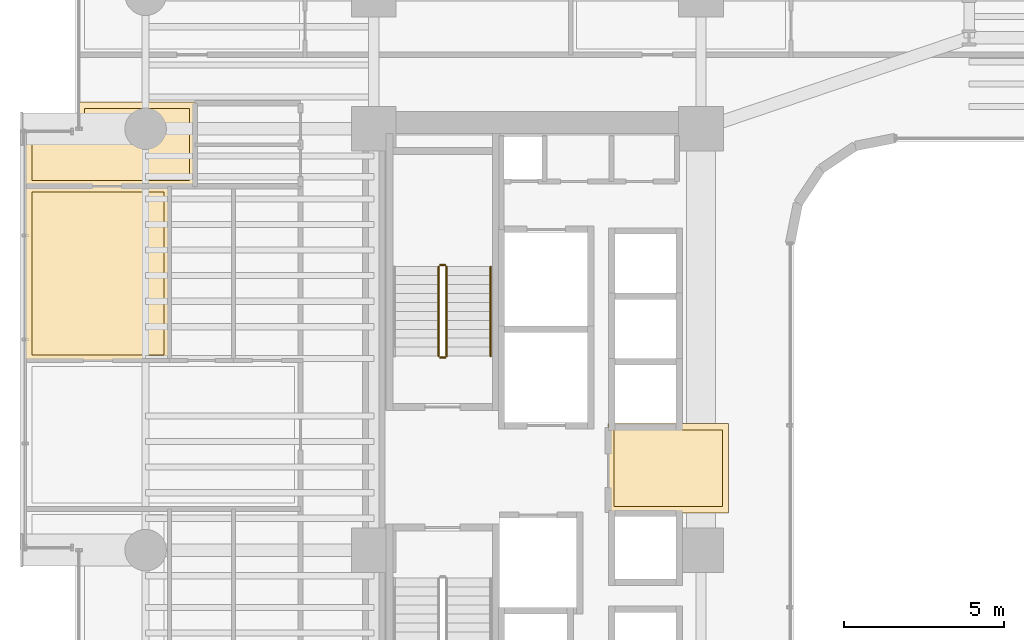
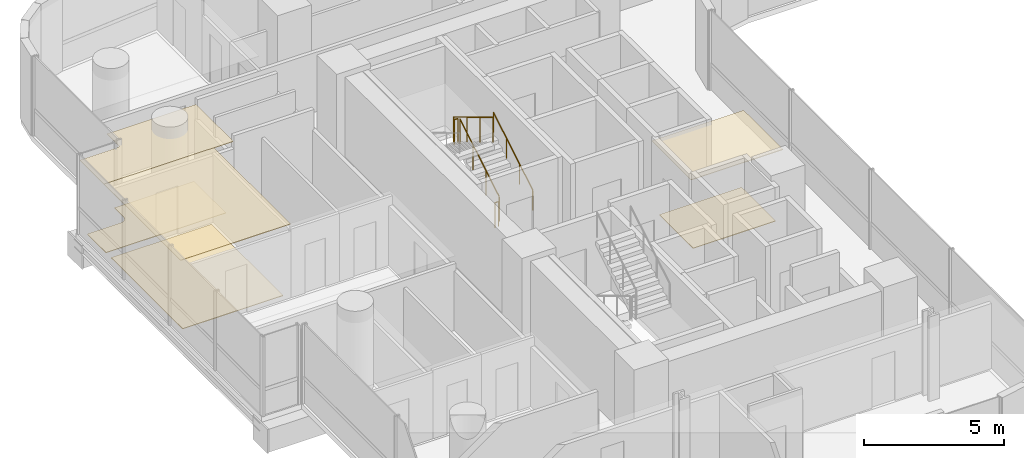
# One storey, part 36 of 40: 6 coverings, 5 railings.
"""IFC4 building model written with IfcOpenShell, lengths in metres."""

from ifc_helpers import new_model, si_unit, direction, frame, origin, origin_2d, place, context, subcontext, project, spatial, polyline, circle, outline, extrude, material, layer, layer_set, type_object, element, save


model = new_model("IFC4")

# Units and contexts
model_context = context("Model", 3, precision=1e-05, world=origin(), true_north=direction((0.0, 1.0)))
body_context = subcontext(model_context, "Body", "Model", "MODEL_VIEW")
ifc_project = project(units=[si_unit("LENGTHUNIT", "METRE"), si_unit("AREAUNIT", "SQUARE_METRE"), si_unit("VOLUMEUNIT", "CUBIC_METRE"), si_unit("PLANEANGLEUNIT", "RADIAN"), si_unit("MASSUNIT", "GRAM", prefix="KILO")], contexts=[model_context])

# Site, building, storey
site_placement = place(None, origin())
site = spatial("IfcSite", under=ifc_project, at=site_placement, CompositionType="ELEMENT")
building_placement = place(site_placement, origin())
building = spatial("IfcBuilding", under=site, at=building_placement, Name="Valdorenza Pilgrim Sanctuary Tower", CompositionType="ELEMENT")
storey_placement = place(building_placement, frame((0.0, 0.0, 40.800048828125)))
storey = spatial("IfcBuildingStorey", under=building, at=storey_placement, Name="L09", CompositionType="ELEMENT", Elevation=40.800048828125)

# Coverings
ifc_material_1 = material(Name="Micro-perforated acoustic mineral ceiling tile", Category="gypsum")
ifc_layer_1 = layer(ifc_material_1, 0.02490234375, Name="Micro-perforated acoustic mineral ceiling tile")
ifc_layer_set_1 = layer_set([ifc_layer_1], Name="Micro-perforated acoustic mineral ceiling tile")
covering_type_1 = type_object("IfcCoveringType", Name="COV-CLG-ACU", PredefinedType="CEILING", material=ifc_layer_set_1)
covering_1_placement = place(storey_placement, frame((0.0, 0.0, 3.159912109375)))
element("IfcCovering", 1, at=covering_1_placement, inside=storey, type_object=covering_type_1, Name="L09 Core A Passenger Lift Lobby Acoustic Ceiling", PredefinedType="CEILING", context=body_context, shape_type="SweptSolid", body=[
    extrude(outline(polyline([(-15.31298828125, 1.244384765625), (-15.31298828125, 1.24462890625), (-15.313720703125, 1.24609375), (-15.314208984375, 1.24755859375), (-15.314697265625, 1.2490234375), (-15.31494140625, 1.25048828125), (-15.31494140625, 1.251953125), (-15.31494140625, 1.35009765625), (-15.31494140625, 1.3515625), (-15.314697265625, 1.352783203125), (-15.314453125, 1.3544921875), (-15.31396484375, 1.355712890625), (-15.313232421875, 1.357177734375), (-15.3125, 1.3583984375), (-15.3115234375, 1.359619140625), (-15.310546875, 1.360595703125), (-15.3095703125, 1.361572265625), (-15.308349609375, 1.362548828125), (-15.30712890625, 1.36328125), (-15.3056640625, 1.364013671875), (-15.304443359375, 1.364501953125), (-15.302978515625, 1.36474609375), (-15.301513671875, 1.364990234375), (-15.300048828125, 1.364990234375), (-15.10205078125, 1.364990234375), (-15.1005859375, 1.364990234375), (-15.09912109375, 1.36474609375), (-15.097412109375, 1.3642578125), (-15.09619140625, 1.36376953125), (-15.0947265625, 1.363037109375), (-15.094482421875, 1.363037109375), (-13.185546875, 1.363037109375), (-13.185302734375, 1.363037109375), (-13.183837890625, 1.36376953125), (-13.1826171875, 1.3642578125), (-13.180908203125, 1.36474609375), (-13.179443359375, 1.364990234375), (-13.177978515625, 1.364990234375), (-11.550048828125, 1.364990234375), (-11.548583984375, 1.364990234375), (-11.547119140625, 1.36474609375), (-11.545654296875, 1.364501953125), (-11.544189453125, 1.364013671875), (-11.54296875, 1.36328125), (-11.541748046875, 1.362548828125), (-11.54052734375, 1.361572265625), (-11.539306640625, 1.360595703125), (-11.538330078125, 1.359619140625), (-11.53759765625, 1.3583984375), (-11.536865234375, 1.357177734375), (-11.5361328125, 1.355712890625), (-11.53564453125, 1.3544921875), (-11.535400390625, 1.352783203125), (-11.53515625, 1.3515625), (-11.534912109375, 1.35009765625), (-11.534912109375, -1.419921875), (-11.53515625, -1.42138671875), (-11.535400390625, -1.4228515625), (-11.53564453125, -1.42431640625), (-11.5361328125, -1.42578125), (-11.536865234375, -1.427001953125), (-11.53759765625, -1.42822265625), (-11.538330078125, -1.429443359375), (-11.539306640625, -1.4306640625), (-11.54052734375, -1.431640625), (-11.541748046875, -1.4326171875), (-11.54296875, -1.43310546875), (-11.544189453125, -1.433837890625), (-11.545654296875, -1.434326171875), (-11.547119140625, -1.434814453125), (-11.548583984375, -1.434814453125), (-11.550048828125, -1.43505859375), (-15.298095703125, -1.43505859375), (-15.299560546875, -1.434814453125), (-15.30078125, -1.434814453125), (-15.302490234375, -1.434326171875), (-15.3037109375, -1.433837890625), (-15.30517578125, -1.43310546875), (-15.306396484375, -1.4326171875), (-15.3076171875, -1.431640625), (-15.30859375, -1.4306640625), (-15.3095703125, -1.429443359375), (-15.310546875, -1.42822265625), (-15.311279296875, -1.427001953125), (-15.31201171875, -1.42578125), (-15.3125, -1.42431640625), (-15.312744140625, -1.4228515625), (-15.31298828125, -1.42138671875), (-15.31298828125, -1.419921875), (-15.31298828125, 1.244384765625)])), origin(), (0.0, 0.0, 1.0), 0.025146484375),
])
covering_2_placement = place(storey_placement, frame((0.0, 0.0, 3.159912109375)))
element("IfcCovering", 2, at=covering_2_placement, inside=storey, type_object=covering_type_1, Name="L09 Pilgrim Scholar Office L09-WN Acoustic Ceiling", PredefinedType="CEILING", context=body_context, shape_type="SweptSolid", body=[
    extrude(outline(polyline([(-28.237060546875, 11.39453125), (-28.237060546875, 10.103759765625), (-28.23681640625, 10.10302734375), (-28.23681640625, 10.1015625), (-28.23681640625, 10.10009765625), (-28.23681640625, 10.098388671875), (-28.237060546875, 10.09814453125), (-28.237060546875, 8.800048828125), (-28.237060546875, 8.798583984375), (-28.2373046875, 8.797119140625), (-28.237548828125, 8.795654296875), (-28.238037109375, 8.794189453125), (-28.23876953125, 8.79296875), (-28.239501953125, 8.791748046875), (-28.240478515625, 8.79052734375), (-28.241455078125, 8.789306640625), (-28.242431640625, 8.788330078125), (-28.24365234375, 8.78759765625), (-28.244873046875, 8.786865234375), (-28.246337890625, 8.7861328125), (-28.24755859375, 8.78564453125), (-28.2490234375, 8.785400390625), (-28.25048828125, 8.78515625), (-28.251953125, 8.784912109375), (-33.5400390625, 8.784912109375), (-33.54150390625, 8.78515625), (-33.54296875, 8.785400390625), (-33.54443359375, 8.78564453125), (-33.545654296875, 8.7861328125), (-33.547119140625, 8.786865234375), (-33.54833984375, 8.78759765625), (-33.549560546875, 8.788330078125), (-33.550537109375, 8.789306640625), (-33.551513671875, 8.79052734375), (-33.552490234375, 8.791748046875), (-33.55322265625, 8.79296875), (-33.553955078125, 8.794189453125), (-33.554443359375, 8.795654296875), (-33.5546875, 8.797119140625), (-33.554931640625, 8.798583984375), (-33.554931640625, 8.800048828125), (-33.554931640625, 10.489990234375), (-33.554931640625, 10.491455078125), (-33.5546875, 10.492919921875), (-33.554443359375, 10.494384765625), (-33.553955078125, 10.49560546875), (-33.55322265625, 10.4970703125), (-33.552490234375, 10.498291015625), (-33.551513671875, 10.49951171875), (-33.550537109375, 10.50048828125), (-33.549560546875, 10.501708984375), (-33.54833984375, 10.50244140625), (-33.547119140625, 10.503173828125), (-33.545654296875, 10.50390625), (-33.54443359375, 10.50439453125), (-33.54296875, 10.504638671875), (-33.54150390625, 10.5048828125), (-33.5400390625, 10.5048828125), (-32.00048828125, 10.5048828125), (-31.99072265625, 10.505615234375), (-31.9814453125, 10.5068359375), (-31.972412109375, 10.509033203125), (-31.963623046875, 10.51220703125), (-31.955078125, 10.51611328125), (-31.947265625, 10.52099609375), (-31.939697265625, 10.526611328125), (-31.932861328125, 10.53271484375), (-31.926513671875, 10.539794921875), (-31.9208984375, 10.547119140625), (-31.916259765625, 10.55517578125), (-31.912109375, 10.563720703125), (-31.9091796875, 10.572509765625), (-31.90673828125, 10.58154296875), (-31.905517578125, 10.5908203125), (-31.905029296875, 10.600341796875), (-31.905029296875, 11.419921875), (-31.90478515625, 11.42138671875), (-31.90478515625, 11.4228515625), (-31.904296875, 11.42431640625), (-31.90380859375, 11.42578125), (-31.9033203125, 11.427001953125), (-31.902587890625, 11.42822265625), (-31.901611328125, 11.429443359375), (-31.900634765625, 11.4306640625), (-31.8994140625, 11.431640625), (-31.898193359375, 11.4326171875), (-31.897216796875, 11.43310546875), (-31.895751953125, 11.433837890625), (-31.894287109375, 11.434326171875), (-31.892822265625, 11.434814453125), (-31.8916015625, 11.434814453125), (-31.889892578125, 11.43505859375), (-28.25, 11.43505859375), (-28.24853515625, 11.434814453125), (-28.2470703125, 11.434814453125), (-28.24560546875, 11.434326171875), (-28.244384765625, 11.433837890625), (-28.242919921875, 11.43310546875), (-28.24169921875, 11.4326171875), (-28.240478515625, 11.431640625), (-28.239501953125, 11.4306640625), (-28.23828125, 11.429443359375), (-28.237548828125, 11.42822265625), (-28.23681640625, 11.427001953125), (-28.236083984375, 11.42578125), (-28.235595703125, 11.42431640625), (-28.2353515625, 11.4228515625), (-28.235107421875, 11.42138671875), (-28.235107421875, 11.419921875), (-28.235107421875, 11.402099609375), (-28.235107421875, 11.400390625), (-28.2353515625, 11.39892578125), (-28.235595703125, 11.3974609375), (-28.236083984375, 11.39599609375), (-28.23681640625, 11.394775390625), (-28.237060546875, 11.39453125)])), origin(), (0.0, 0.0, 1.0), 0.025146484375),
])
covering_3_placement = place(storey_placement, frame((0.0, 0.0, 3.159912109375)))
element("IfcCovering", 3, at=covering_3_placement, inside=storey, type_object=covering_type_1, Name="L09 Pilgrim Family Flat L09-W2 Bedroom Acoustic Ceiling", PredefinedType="CEILING", context=body_context, shape_type="SweptSolid", body=[
    extrude(outline(polyline([(-29.034912109375, 3.340576171875), (-29.03515625, 3.339111328125), (-29.035400390625, 3.337646484375), (-29.03564453125, 3.336181640625), (-29.0361328125, 3.3349609375), (-29.036865234375, 3.33349609375), (-29.03759765625, 3.332275390625), (-29.038330078125, 3.3310546875), (-29.039306640625, 3.330078125), (-29.04052734375, 3.3291015625), (-29.041748046875, 3.328125), (-29.04296875, 3.327392578125), (-29.044189453125, 3.32666015625), (-29.045654296875, 3.326171875), (-29.047119140625, 3.325927734375), (-29.048583984375, 3.32568359375), (-29.050048828125, 3.32568359375), (-33.5400390625, 3.32568359375), (-33.54150390625, 3.32568359375), (-33.54296875, 3.325927734375), (-33.54443359375, 3.326171875), (-33.545654296875, 3.32666015625), (-33.547119140625, 3.327392578125), (-33.54833984375, 3.328125), (-33.549560546875, 3.3291015625), (-33.550537109375, 3.330078125), (-33.551513671875, 3.3310546875), (-33.552490234375, 3.332275390625), (-33.55322265625, 3.33349609375), (-33.553955078125, 3.3349609375), (-33.554443359375, 3.336181640625), (-33.5546875, 3.337646484375), (-33.554931640625, 3.339111328125), (-33.554931640625, 3.340576171875), (-33.554931640625, 8.798095703125), (-33.554931640625, 8.799560546875), (-33.5546875, 8.80078125), (-33.554443359375, 8.802490234375), (-33.553955078125, 8.8037109375), (-33.55322265625, 8.80517578125), (-33.552490234375, 8.806396484375), (-33.551513671875, 8.8076171875), (-33.550537109375, 8.80859375), (-33.549560546875, 8.8095703125), (-33.54833984375, 8.810546875), (-33.547119140625, 8.811279296875), (-33.545654296875, 8.81201171875), (-33.54443359375, 8.8125), (-33.54296875, 8.812744140625), (-33.54150390625, 8.81298828125), (-33.5400390625, 8.81298828125), (-29.050048828125, 8.81298828125), (-29.048583984375, 8.81298828125), (-29.047119140625, 8.812744140625), (-29.045654296875, 8.8125), (-29.044189453125, 8.81201171875), (-29.04296875, 8.811279296875), (-29.041748046875, 8.810546875), (-29.04052734375, 8.8095703125), (-29.039306640625, 8.80859375), (-29.038330078125, 8.8076171875), (-29.03759765625, 8.806396484375), (-29.036865234375, 8.80517578125), (-29.0361328125, 8.8037109375), (-29.03564453125, 8.802490234375), (-29.035400390625, 8.80078125), (-29.03515625, 8.799560546875), (-29.034912109375, 8.798095703125), (-29.034912109375, 3.340576171875)])), origin(), (0.0, 0.0, 1.0), 0.025146484375),
])
ifc_material_2 = material(Name="Engineered European oak timber flooring", Category="wood")
ifc_layer_2 = layer(ifc_material_2, 0.02197265625, Name="Engineered European oak timber flooring")
ifc_layer_set_2 = layer_set([ifc_layer_2], Name="Engineered European oak timber flooring")
covering_type_2 = type_object("IfcCoveringType", Name="COV-FLR-OAK", PredefinedType="FLOORING", material=ifc_layer_set_2)
covering_4_placement = place(storey_placement, origin())
element("IfcCovering", 4, at=covering_4_placement, inside=storey, type_object=covering_type_2, Name="L09 Pilgrim Family Flat L09-W2 Bedroom Flooring", PredefinedType="FLOORING", context=body_context, shape_type="SweptSolid", body=[
    extrude(outline(polyline([(-29.22998046875, 3.5205078125), (-33.360107421875, 3.5205078125), (-33.360107421875, 8.617919921875), (-29.22998046875, 8.617919921875), (-29.22998046875, 3.5205078125)])), origin(), (0.0, 0.0, 1.0), 0.02490234375),
])
ifc_material_3 = material(Name="Honed travertine stone flooring", Category="masonry")
ifc_layer_3 = layer(ifc_material_3, 0.030029296875, Name="Honed travertine stone flooring")
ifc_layer_set_3 = layer_set([ifc_layer_3], Name="Honed travertine stone flooring")
covering_type_3 = type_object("IfcCoveringType", Name="COV-FLR-TRV", PredefinedType="FLOORING", material=ifc_layer_set_3)
covering_5_placement = place(storey_placement, origin())
element("IfcCovering", 5, at=covering_5_placement, inside=storey, type_object=covering_type_3, Name="L09 Core A Passenger Lift Lobby Flooring", PredefinedType="FLOORING", context=body_context, shape_type="SweptSolid", body=[
    extrude(outline(polyline([(-15.117919921875, 1.169189453125), (-15.10888671875, 1.168212890625), (-15.10888671875, 1.168212890625), (-15.10009765625, 1.16796875), (-13.179931640625, 1.16796875), (-13.1796875, 1.16796875), (-11.72998046875, 1.169921875), (-11.72998046875, -1.239990234375), (-15.117919921875, -1.239990234375), (-15.117919921875, 1.169189453125)])), origin(), (0.0, 0.0, 1.0), 0.02490234375),
])
covering_6_placement = place(storey_placement, origin())
element("IfcCovering", 6, at=covering_6_placement, inside=storey, type_object=covering_type_3, Name="L09 Pilgrim Scholar Office L09-WN Flooring", PredefinedType="FLOORING", context=body_context, shape_type="SweptSolid", body=[
    extrude(outline(polyline([(-28.431884765625, 11.239990234375), (-28.431884765625, 10.10205078125), (-28.431884765625, 10.10107421875), (-28.431884765625, 10.100341796875), (-28.431884765625, 10.10009765625), (-28.431884765625, 8.97998046875), (-33.360107421875, 8.97998046875), (-33.360107421875, 10.31005859375), (-32.0, 10.31005859375), (-31.9912109375, 10.310302734375), (-31.98046875, 10.310791015625), (-31.962890625, 10.3125), (-31.9521484375, 10.314208984375), (-31.934814453125, 10.3173828125), (-31.92431640625, 10.320068359375), (-31.907470703125, 10.3251953125), (-31.897216796875, 10.328857421875), (-31.880859375, 10.335693359375), (-31.87109375, 10.34033203125), (-31.855712890625, 10.3486328125), (-31.84619140625, 10.35400390625), (-31.831787109375, 10.364013671875), (-31.822998046875, 10.370361328125), (-31.809326171875, 10.381591796875), (-31.80126953125, 10.388916015625), (-31.788818359375, 10.4013671875), (-31.781494140625, 10.4091796875), (-31.7705078125, 10.423095703125), (-31.763916015625, 10.431640625), (-31.754150390625, 10.4462890625), (-31.74853515625, 10.45556640625), (-31.740234375, 10.47119140625), (-31.735595703125, 10.48095703125), (-31.72900390625, 10.497314453125), (-31.725341796875, 10.50732421875), (-31.72021484375, 10.5244140625), (-31.717529296875, 10.534912109375), (-31.714111328125, 10.552001953125), (-31.71240234375, 10.562744140625), (-31.710693359375, 10.580322265625), (-31.710205078125, 10.59130859375), (-31.7099609375, 10.60009765625), (-31.7099609375, 11.239990234375), (-28.431884765625, 11.239990234375)])), origin(), (0.0, 0.0, 1.0), 0.02490234375),
])

# Railings
ifc_material_4 = material(Name="Stainless steel Grade 316", Category="steel")
railing_type_1 = type_object("IfcRailingType", Name="RLG-GRD-1120", PredefinedType="GUARDRAIL", material=ifc_material_4)
railing_1_placement = place(storey_placement, frame((-20.3701171875, 3.47998046875, 0.168212890625)))
element("IfcRailing", 7, at=railing_1_placement, inside=storey, type_object=railing_type_1, Name="L09 ST-A1 stair guard 1", PredefinedType="GUARDRAIL", context=body_context, shape_type="SweptSolid", body=[
    extrude(circle(Radius=0.02392578125, at=origin_2d()), frame((0.0, 0.0, 1.076171875), z_axis=(0.0, 0.857275202839, 0.514858452973), x_axis=(-1.0, 0.0, 0.0)), (0.0, 0.0, 1.0), 3.26611328125),
    extrude(circle(Radius=0.02099609375, at=origin_2d()), origin(), (0.0, 0.0, 1.0), 1.052001953125),
    extrude(circle(Radius=0.02099609375, at=origin_2d()), frame((0.0, 0.933349609375, 0.560546875)), (0.0, 0.0, 1.0), 1.052001953125),
    extrude(circle(Radius=0.02099609375, at=origin_2d()), frame((0.0, 1.86669921875, 1.12109375)), (0.0, 0.0, 1.0), 1.052001953125),
    extrude(circle(Radius=0.02099609375, at=origin_2d()), frame((0.0, 2.800048828125, 1.681640625)), (0.0, 0.0, 1.0), 1.052001953125),
])
railing_2_placement = place(storey_placement, frame((-20.419921875, 6.330078125, 1.849853515625)))
element("IfcRailing", 8, at=railing_2_placement, inside=storey, type_object=railing_type_1, Name="L09 ST-A1 stair guard 2", PredefinedType="GUARDRAIL", context=body_context, shape_type="SweptSolid", body=[
    extrude(circle(Radius=0.02392578125, at=origin_2d()), frame((0.0, 0.0, 1.076171875), z_axis=(-1.0, 0.0, 0.0), x_axis=(0.0, -1.0, 0.0)), (0.0, 0.0, 1.0), 0.150146484375),
    extrude(circle(Radius=0.02099609375, at=origin_2d()), origin(), (0.0, 0.0, 1.0), 1.052001953125),
    extrude(circle(Radius=0.02099609375, at=origin_2d()), frame((-0.150146484375, 0.0, 0.0)), (0.0, 0.0, 1.0), 1.052001953125),
])
railing_3_placement = place(storey_placement, frame((-20.6201171875, 6.280029296875, 2.01806640625)))
element("IfcRailing", 9, at=railing_3_placement, inside=storey, type_object=railing_type_1, Name="L09 ST-A1 stair guard 3", PredefinedType="GUARDRAIL", context=body_context, shape_type="SweptSolid", body=[
    extrude(circle(Radius=0.02392578125, at=origin_2d()), frame((0.0, 0.0, 1.076171875), z_axis=(0.0, -0.857242210791, 0.514913383045), x_axis=(1.0, 0.0, 0.0)), (0.0, 0.0, 1.0), 3.266357421875),
    extrude(circle(Radius=0.02099609375, at=origin_2d()), origin(), (0.0, 0.0, 1.0), 1.052001953125),
    extrude(circle(Radius=0.02099609375, at=origin_2d()), frame((0.0, -0.933349609375, 0.560546875)), (0.0, 0.0, 1.0), 1.052001953125),
    extrude(circle(Radius=0.02099609375, at=origin_2d()), frame((0.0, -1.86669921875, 1.121337890625)), (0.0, 0.0, 1.0), 1.052001953125),
    extrude(circle(Radius=0.02099609375, at=origin_2d()), frame((0.0, -2.800048828125, 1.681884765625)), (0.0, 0.0, 1.0), 1.052001953125),
])
railing_4_placement = place(storey_placement, frame((-20.419921875, 3.429931640625, 0.0)))
element("IfcRailing", 10, at=railing_4_placement, inside=storey, type_object=railing_type_1, Name="L09 ST-A1 stair guard 4", PredefinedType="GUARDRAIL", context=body_context, shape_type="SweptSolid", body=[
    extrude(circle(Radius=0.02392578125, at=origin_2d()), frame((0.0, 0.0, 1.076171875), z_axis=(-1.0, 0.0, 0.0), x_axis=(0.0, -1.0, 0.0)), (0.0, 0.0, 1.0), 0.150146484375),
    extrude(circle(Radius=0.02099609375, at=origin_2d()), origin(), (0.0, 0.0, 1.0), 1.052001953125),
    extrude(circle(Radius=0.02099609375, at=origin_2d()), frame((-0.150146484375, 0.0, 0.0)), (0.0, 0.0, 1.0), 1.052001953125),
])
ifc_material_5 = material(Name="Brushed stainless steel Grade 316", Category="steel")
railing_type_2 = type_object("IfcRailingType", Name="RLG-HND-920", PredefinedType="HANDRAIL", material=ifc_material_5)
railing_5_placement = place(storey_placement, frame((-18.989990234375, 3.47998046875, 0.168212890625)))
element("IfcRailing", 11, at=railing_5_placement, inside=storey, type_object=railing_type_2, Name="L09 ST-A1 stair handrail 1", PredefinedType="HANDRAIL", context=body_context, shape_type="SweptSolid", body=[
    extrude(circle(Radius=0.02392578125, at=origin_2d()), frame((0.0, 0.0, 0.8759765625), z_axis=(0.0, 0.857275202839, 0.514858452973), x_axis=(-1.0, 0.0, 0.0)), (0.0, 0.0, 1.0), 3.26611328125),
    extrude(circle(Radius=0.02099609375, at=origin_2d()), origin(), (0.0, 0.0, 1.0), 0.851806640625),
    extrude(circle(Radius=0.02099609375, at=origin_2d()), frame((0.0, 0.933349609375, 0.560546875)), (0.0, 0.0, 1.0), 0.851806640625),
    extrude(circle(Radius=0.02099609375, at=origin_2d()), frame((0.0, 1.86669921875, 1.12109375)), (0.0, 0.0, 1.0), 0.851806640625),
    extrude(circle(Radius=0.02099609375, at=origin_2d()), frame((0.0, 2.800048828125, 1.681640625)), (0.0, 0.0, 1.0), 0.851806640625),
])

save(model, "model.ifc")
